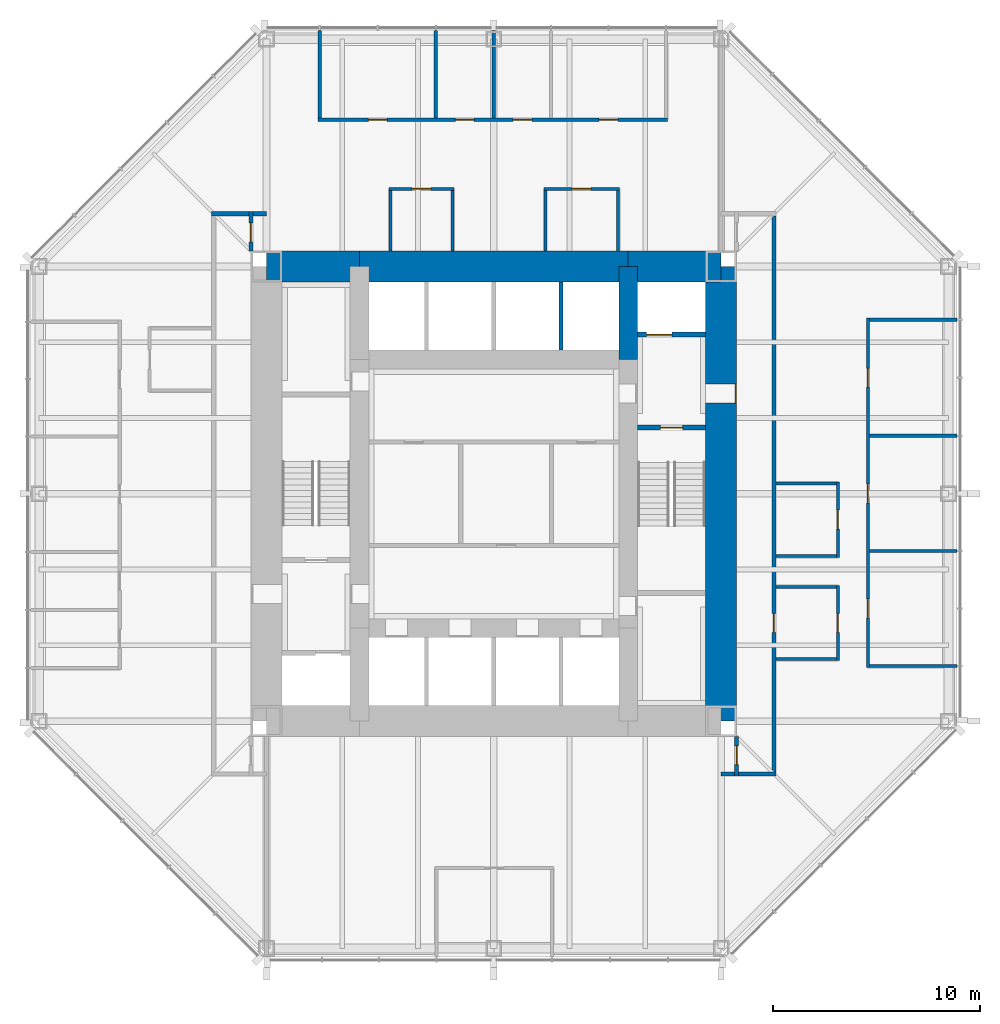
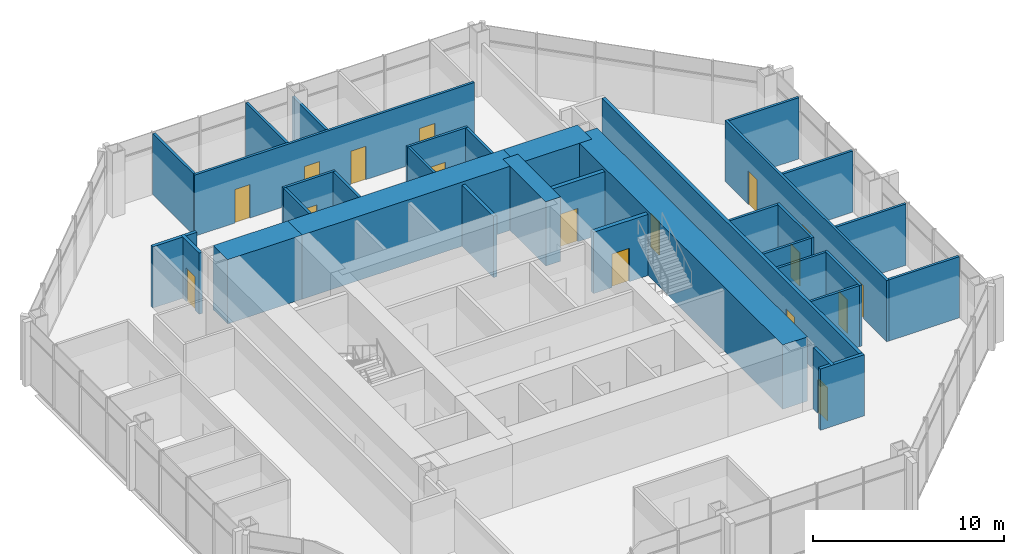
# One storey, part 10 of 12: 34 walls, 17 doors, 17 openings.
"""IFC4 building model written with IfcOpenShell, lengths in metres."""

from ifc_helpers import new_model, si_unit, direction, frame, frame_2d, origin, place, context, subcontext, project, spatial, rectangle, extrude, material, layer, layer_set, type_object, element, fill, save


model = new_model("IFC4")

# Units and contexts
model_context = context("Model", 3, precision=1e-05, world=origin(), true_north=direction((0.0, 1.0)))
body_context = subcontext(model_context, "Body", "Model", "MODEL_VIEW")
ifc_project = project(units=[si_unit("LENGTHUNIT", "METRE"), si_unit("AREAUNIT", "SQUARE_METRE"), si_unit("VOLUMEUNIT", "CUBIC_METRE"), si_unit("PLANEANGLEUNIT", "RADIAN"), si_unit("MASSUNIT", "GRAM", prefix="KILO")], contexts=[model_context])

# Site, building, storey
site_placement = place(None, origin())
site = spatial("IfcSite", under=ifc_project, at=site_placement, CompositionType="ELEMENT")
building_placement = place(site_placement, origin())
building = spatial("IfcBuilding", under=site, at=building_placement, Name="Trevanion Tower", CompositionType="ELEMENT")
storey_placement = place(building_placement, frame((0.0, 0.0, 125.39990234375)))
storey = spatial("IfcBuildingStorey", under=building, at=storey_placement, Name="L29", CompositionType="ELEMENT", Elevation=125.39990234375)

# Wall, opening, door
ifc_material_1 = material(Name="Concrete 10,000 psi", Category="concrete")
ifc_layer_1 = layer(ifc_material_1, 1.5)
ifc_layer_set_1 = layer_set([ifc_layer_1], Name="CW1 core wall 1500")
wall_type_1 = type_object("IfcWallType", Name="CW1 core wall 1500", PredefinedType="SHEAR", material=ifc_layer_set_1)
wall_1_placement = place(storey_placement, frame((11.0, -11.0, 0.0), z_axis=(0.0, 0.0, 1.0), x_axis=(0.0, 1.0, 0.0)))
wall_1 = element("IfcWall", 1, at=wall_1_placement, inside=storey, type_object=wall_type_1, Name="CW1 CE L29", PredefinedType="SHEAR", context=body_context, shape_type="SweptSolid", body=[
    extrude(rectangle(XDim=22.0, YDim=1.5, at=frame_2d((11.0, 0.0))), origin(), (0.0, 0.0, 1.0), 4.10009765625),
])
opening_1_placement = place(wall_1_placement, frame((15.392578125, 0.0, 0.0)))
opening_1 = element("IfcOpeningElement", 2, at=opening_1_placement, cuts=wall_1, Name="Opening 29-001", PredefinedType="OPENING", context=body_context, shape_type="SweptSolid", body=[
    extrude(rectangle(XDim=0.9150390625, YDim=2.134033203125, at=frame_2d((0.45751953125, 1.06689453125))), frame((0.0, 0.760009765625, 0.0), z_axis=(0.0, -1.0, 0.0), x_axis=(1.0, 0.0, 0.0)), (0.0, 0.0, 1.0), 1.52001953125),
])
ifc_material_2 = material(Name="Hollow metal, fire rated", Category="steel")
door_type_1 = type_object("IfcDoorType", Name="D3 fire lift lobby door", OperationType="SINGLE_SWING_RIGHT", PredefinedType="DOOR", material=ifc_material_2)
door_1_placement = place(opening_1_placement, origin())
door_1 = element("IfcDoor", 3, at=door_1_placement, inside=storey, type_object=door_type_1, Name="Door 29-001", OperationType="SINGLE_SWING_RIGHT", OverallHeight=2.134033203125, OverallWidth=0.9150390625, PredefinedType="DOOR", context=body_context, shape_type="SweptSolid", body=[
    extrude(rectangle(XDim=0.9150390625, YDim=2.134033203125, at=frame_2d((0.45751953125, 1.06689453125))), frame((0.0, -0.6748046875, 0.0), z_axis=(0.0, -1.0, 0.0), x_axis=(1.0, 0.0, 0.0)), (0.0, 0.0, 1.0), 0.050048828125),
])
fill(opening_1, door_1)

# Walls
wall_2_placement = place(storey_placement, frame((11.0, 11.0, 0.0), z_axis=(0.0, 0.0, 1.0), x_axis=(-1.0, 0.0, 0.0)))
element("IfcWall", 4, at=wall_2_placement, inside=storey, type_object=wall_type_1, Name="CW1 CN1 L29", PredefinedType="SHEAR", context=body_context, shape_type="SweptSolid", body=[
    extrude(rectangle(XDim=4.5, YDim=1.5, at=frame_2d((2.25, 0.0))), origin(), (0.0, 0.0, 1.0), 4.10009765625),
])
wall_3_placement = place(storey_placement, frame((6.5, 11.0, 0.0), z_axis=(0.0, 0.0, 1.0), x_axis=(-1.0, 0.0, 0.0)))
element("IfcWall", 5, at=wall_3_placement, inside=storey, type_object=wall_type_1, Name="CW1 CN2 L29", PredefinedType="SHEAR", context=body_context, shape_type="SweptSolid", body=[
    extrude(rectangle(XDim=13.0, YDim=1.5, at=frame_2d((6.5, 0.0))), origin(), (0.0, 0.0, 1.0), 4.10009765625),
])
wall_4_placement = place(storey_placement, frame((-6.5, 11.0, 0.0), z_axis=(0.0, 0.0, 1.0), x_axis=(-1.0, 0.0, 0.0)))
element("IfcWall", 6, at=wall_4_placement, inside=storey, type_object=wall_type_1, Name="CW1 CN3 L29", PredefinedType="SHEAR", context=body_context, shape_type="SweptSolid", body=[
    extrude(rectangle(XDim=4.5, YDim=1.5, at=frame_2d((2.25, 0.0))), origin(), (0.0, 0.0, 1.0), 4.10009765625),
])
ifc_material_3 = material(Name="Concrete 10,000 psi", Category="concrete")
ifc_layer_2 = layer(ifc_material_3, 0.89990234375)
ifc_layer_set_2 = layer_set([ifc_layer_2], Name="CW2 core wall 900")
wall_type_2 = type_object("IfcWallType", Name="CW2 core wall 900", PredefinedType="SHEAR", material=ifc_layer_set_2)
wall_5_placement = place(storey_placement, frame((6.5, 6.5, 0.0), z_axis=(0.0, 0.0, 1.0), x_axis=(0.0, 1.0, 0.0)))
element("IfcWall", 7, at=wall_5_placement, inside=storey, type_object=wall_type_2, Name="CW2 RE3 L29", PredefinedType="SHEAR", context=body_context, shape_type="SweptSolid", body=[
    extrude(rectangle(XDim=4.5, YDim=0.89990234375, at=frame_2d((2.25, 0.0))), origin(), (0.0, 0.0, 1.0), 4.10009765625),
])

# Wall, openings, doors
ifc_material_4 = material(Name="Gypsum board on steel studs", Category="steel")
ifc_layer_3 = layer(ifc_material_4, 0.14990234375)
ifc_layer_set_3 = layer_set([ifc_layer_3], Name="PT1 partition 150")
wall_type_3 = type_object("IfcWallType", Name="PT1 partition 150", PredefinedType="PARTITIONING", material=ifc_layer_set_3)
wall_6_placement = place(storey_placement, frame((18.10009765625, -8.39794921875, 0.0), z_axis=(0.0, 0.0, 1.0), x_axis=(0.0, 1.0, 0.0)))
wall_6 = element("IfcWall", 8, at=wall_6_placement, inside=storey, type_object=wall_type_3, Name="PT1 L29 FC0F", PredefinedType="PARTITIONING", context=body_context, shape_type="SweptSolid", body=[
    extrude(rectangle(XDim=16.89404296875, YDim=0.14990234375, at=frame_2d((8.447021484375, 0.0))), origin(), (0.0, 0.0, 1.0), 3.91015625),
])
opening_2_placement = place(wall_6_placement, frame((2.3916015625, 0.0, 0.0)))
opening_2 = element("IfcOpeningElement", 9, at=opening_2_placement, cuts=wall_6, Name="Opening 29-022", PredefinedType="OPENING", context=body_context, shape_type="SweptSolid", body=[
    extrude(rectangle(XDim=0.9150390625, YDim=2.134033203125, at=frame_2d((0.45751953125, 1.06689453125))), frame((0.0, 0.0849609375, 0.0), z_axis=(0.0, -1.0, 0.0), x_axis=(1.0, 0.0, 0.0)), (0.0, 0.0, 1.0), 0.169921875),
])
opening_3_placement = place(wall_6_placement, frame((7.95654296875, 0.0, 0.0)))
opening_3 = element("IfcOpeningElement", 10, at=opening_3_placement, cuts=wall_6, Name="Opening 29-023", PredefinedType="OPENING", context=body_context, shape_type="SweptSolid", body=[
    extrude(rectangle(XDim=0.9150390625, YDim=2.134033203125, at=frame_2d((0.45751953125, 1.06689453125))), frame((0.0, 0.0849609375, 0.0), z_axis=(0.0, -1.0, 0.0), x_axis=(1.0, 0.0, 0.0)), (0.0, 0.0, 1.0), 0.169921875),
])
opening_4_placement = place(wall_6_placement, frame((13.554443359375, 0.0, 0.0)))
opening_4 = element("IfcOpeningElement", 11, at=opening_4_placement, cuts=wall_6, Name="Opening 29-024", PredefinedType="OPENING", context=body_context, shape_type="SweptSolid", body=[
    extrude(rectangle(XDim=0.9150390625, YDim=2.134033203125, at=frame_2d((0.45751953125, 1.06689453125))), frame((0.0, 0.0849609375, 0.0), z_axis=(0.0, -1.0, 0.0), x_axis=(1.0, 0.0, 0.0)), (0.0, 0.0, 1.0), 0.169921875),
])
ifc_material_5 = material(Name="Timber veneer, solid core", Category="wood")
door_type_2 = type_object("IfcDoorType", Name="D1 office and meeting room door", OperationType="SINGLE_SWING_LEFT", PredefinedType="DOOR", material=ifc_material_5)
door_2_placement = place(opening_2_placement, origin())
door_2 = element("IfcDoor", 12, at=door_2_placement, inside=storey, type_object=door_type_2, Name="Door 29-022", OperationType="SINGLE_SWING_LEFT", OverallHeight=2.134033203125, OverallWidth=0.9150390625, PredefinedType="DOOR", context=body_context, shape_type="SweptSolid", body=[
    extrude(rectangle(XDim=0.9150390625, YDim=2.134033203125, at=frame_2d((0.45751953125, 1.06689453125))), frame((0.0, 0.02490234375, 0.0), z_axis=(0.0, -1.0, 0.0), x_axis=(1.0, 0.0, 0.0)), (0.0, 0.0, 1.0), 0.050048828125),
])
fill(opening_2, door_2)
door_3_placement = place(opening_3_placement, origin())
door_3 = element("IfcDoor", 13, at=door_3_placement, inside=storey, type_object=door_type_2, Name="Door 29-023", OperationType="SINGLE_SWING_LEFT", OverallHeight=2.134033203125, OverallWidth=0.9150390625, PredefinedType="DOOR", context=body_context, shape_type="SweptSolid", body=[
    extrude(rectangle(XDim=0.9150390625, YDim=2.134033203125, at=frame_2d((0.45751953125, 1.06689453125))), frame((0.0, 0.02490234375, 0.0), z_axis=(0.0, -1.0, 0.0), x_axis=(1.0, 0.0, 0.0)), (0.0, 0.0, 1.0), 0.050048828125),
])
fill(opening_3, door_3)
door_4_placement = place(opening_4_placement, origin())
door_4 = element("IfcDoor", 14, at=door_4_placement, inside=storey, type_object=door_type_2, Name="Door 29-024", OperationType="SINGLE_SWING_LEFT", OverallHeight=2.134033203125, OverallWidth=0.9150390625, PredefinedType="DOOR", context=body_context, shape_type="SweptSolid", body=[
    extrude(rectangle(XDim=0.9150390625, YDim=2.134033203125, at=frame_2d((0.45751953125, 1.06689453125))), frame((0.0, 0.02490234375, 0.0), z_axis=(0.0, -1.0, 0.0), x_axis=(1.0, 0.0, 0.0)), (0.0, 0.0, 1.0), 0.050048828125),
])
fill(opening_4, door_4)

# Walls
for number, where, z_axis, x_axis, name in (
    (15, (18.175048828125, -8.322998046875, 0.0), (0.0, 0.0, 1.0), (1.0, 0.0, 0.0), "PT1 L29 FC0S0"),
    (16, (18.175048828125, -2.77490234375, 0.0), (0.0, 0.0, 1.0), (1.0, 0.0, 0.0), "PT1 L29 FC0S2"),
    (17, (18.175048828125, 2.806884765625, 0.0), (0.0, 0.0, 1.0), (1.0, 0.0, 0.0), "PT1 L29 FC0S4"),
    (18, (18.175048828125, 8.4208984375, 0.0), (0.0, 0.0, 1.0), (1.0, 0.0, 0.0), "PT1 L29 FC0S6"),
):
    element("IfcWall", number, at=place(storey_placement, frame(where, z_axis=z_axis, x_axis=x_axis)), inside=storey, type_object=wall_type_3, Name=name, PredefinedType="PARTITIONING", context=body_context, shape_type="SweptSolid", body=[
        extrude(rectangle(XDim=4.239990234375, YDim=0.14990234375, at=frame_2d((2.1201171875, 0.0))), origin(), (0.0, 0.0, 1.0), 3.91015625),
    ])

# Wall, openings, doors
wall_7_placement = place(storey_placement, frame((8.39794921875, 18.10009765625, 0.0), z_axis=(0.0, 0.0, 1.0), x_axis=(-1.0, 0.0, 0.0)))
wall_7 = element("IfcWall", 19, at=wall_7_placement, inside=storey, type_object=wall_type_3, Name="PT1 L29 FC1F", PredefinedType="PARTITIONING", context=body_context, shape_type="SweptSolid", body=[
    extrude(rectangle(XDim=16.89404296875, YDim=0.14990234375, at=frame_2d((8.447021484375, 0.0))), origin(), (0.0, 0.0, 1.0), 3.91015625),
])
opening_5_placement = place(wall_7_placement, frame((2.3916015625, 0.0, 0.0)))
opening_5 = element("IfcOpeningElement", 20, at=opening_5_placement, cuts=wall_7, Name="Opening 29-025", PredefinedType="OPENING", context=body_context, shape_type="SweptSolid", body=[
    extrude(rectangle(XDim=0.9150390625, YDim=2.134033203125, at=frame_2d((0.45751953125, 1.06689453125))), frame((0.0, 0.0849609375, 0.0), z_axis=(0.0, -1.0, 0.0), x_axis=(1.0, 0.0, 0.0)), (0.0, 0.0, 1.0), 0.169921875),
])
opening_6_placement = place(wall_7_placement, frame((6.552978515625, 0.0, 0.0)))
opening_6 = element("IfcOpeningElement", 21, at=opening_6_placement, cuts=wall_7, Name="Opening 29-026", PredefinedType="OPENING", context=body_context, shape_type="SweptSolid", body=[
    extrude(rectangle(XDim=0.9150390625, YDim=2.134033203125, at=frame_2d((0.45751953125, 1.06689453125))), frame((0.0, 0.0849609375, 0.0), z_axis=(0.0, -1.0, 0.0), x_axis=(1.0, 0.0, 0.0)), (0.0, 0.0, 1.0), 0.169921875),
])
opening_7_placement = place(wall_7_placement, frame((9.343994140625, 0.0, 0.0)))
opening_7 = element("IfcOpeningElement", 22, at=opening_7_placement, cuts=wall_7, Name="Opening 29-027", PredefinedType="OPENING", context=body_context, shape_type="SweptSolid", body=[
    extrude(rectangle(XDim=0.9150390625, YDim=2.134033203125, at=frame_2d((0.45751953125, 1.06689453125))), frame((0.0, 0.0849609375, 0.0), z_axis=(0.0, -1.0, 0.0), x_axis=(1.0, 0.0, 0.0)), (0.0, 0.0, 1.0), 0.169921875),
])
opening_8_placement = place(wall_7_placement, frame((13.554443359375, 0.0, 0.0)))
opening_8 = element("IfcOpeningElement", 23, at=opening_8_placement, cuts=wall_7, Name="Opening 29-028", PredefinedType="OPENING", context=body_context, shape_type="SweptSolid", body=[
    extrude(rectangle(XDim=0.9150390625, YDim=2.134033203125, at=frame_2d((0.45751953125, 1.06689453125))), frame((0.0, 0.0849609375, 0.0), z_axis=(0.0, -1.0, 0.0), x_axis=(1.0, 0.0, 0.0)), (0.0, 0.0, 1.0), 0.169921875),
])
door_5_placement = place(opening_5_placement, origin())
door_5 = element("IfcDoor", 24, at=door_5_placement, inside=storey, type_object=door_type_2, Name="Door 29-025", OperationType="SINGLE_SWING_LEFT", OverallHeight=2.134033203125, OverallWidth=0.9150390625, PredefinedType="DOOR", context=body_context, shape_type="SweptSolid", body=[
    extrude(rectangle(XDim=0.9150390625, YDim=2.134033203125, at=frame_2d((0.45751953125, 1.06689453125))), frame((0.0, 0.02490234375, 0.0), z_axis=(0.0, -1.0, 0.0), x_axis=(1.0, 0.0, 0.0)), (0.0, 0.0, 1.0), 0.050048828125),
])
fill(opening_5, door_5)
door_6_placement = place(opening_6_placement, origin())
door_6 = element("IfcDoor", 25, at=door_6_placement, inside=storey, type_object=door_type_2, Name="Door 29-026", OperationType="SINGLE_SWING_LEFT", OverallHeight=2.134033203125, OverallWidth=0.9150390625, PredefinedType="DOOR", context=body_context, shape_type="SweptSolid", body=[
    extrude(rectangle(XDim=0.9150390625, YDim=2.134033203125, at=frame_2d((0.45751953125, 1.06689453125))), frame((0.0, 0.02490234375, 0.0), z_axis=(0.0, -1.0, 0.0), x_axis=(1.0, 0.0, 0.0)), (0.0, 0.0, 1.0), 0.050048828125),
])
fill(opening_6, door_6)
door_7_placement = place(opening_7_placement, origin())
door_7 = element("IfcDoor", 26, at=door_7_placement, inside=storey, type_object=door_type_2, Name="Door 29-027", OperationType="SINGLE_SWING_LEFT", OverallHeight=2.134033203125, OverallWidth=0.9150390625, PredefinedType="DOOR", context=body_context, shape_type="SweptSolid", body=[
    extrude(rectangle(XDim=0.9150390625, YDim=2.134033203125, at=frame_2d((0.45751953125, 1.06689453125))), frame((0.0, 0.02490234375, 0.0), z_axis=(0.0, -1.0, 0.0), x_axis=(1.0, 0.0, 0.0)), (0.0, 0.0, 1.0), 0.050048828125),
])
fill(opening_7, door_7)
door_8_placement = place(opening_8_placement, origin())
door_8 = element("IfcDoor", 27, at=door_8_placement, inside=storey, type_object=door_type_2, Name="Door 29-028", OperationType="SINGLE_SWING_LEFT", OverallHeight=2.134033203125, OverallWidth=0.9150390625, PredefinedType="DOOR", context=body_context, shape_type="SweptSolid", body=[
    extrude(rectangle(XDim=0.9150390625, YDim=2.134033203125, at=frame_2d((0.45751953125, 1.06689453125))), frame((0.0, 0.02490234375, 0.0), z_axis=(0.0, -1.0, 0.0), x_axis=(1.0, 0.0, 0.0)), (0.0, 0.0, 1.0), 0.050048828125),
])
fill(opening_8, door_8)

# Walls
wall_8_placement = place(storey_placement, frame((0.0, 18.175048828125, 0.0), z_axis=(0.0, 0.0, 1.0), x_axis=(0.0, 1.0, 0.0)))
element("IfcWall", 28, at=wall_8_placement, inside=storey, type_object=wall_type_3, Name="PT1 L29 FC1S3", PredefinedType="PARTITIONING", context=body_context, shape_type="SweptSolid", body=[
    extrude(rectangle(XDim=4.239990234375, YDim=0.14990234375, at=frame_2d((2.1201171875, 0.0))), origin(), (0.0, 0.0, 1.0), 3.325927734375),
])
for number, where, z_axis, x_axis, name in (
    (29, (-2.806884765625, 18.175048828125, 0.0), (0.0, 0.0, 1.0), (0.0, 1.0, 0.0), "PT1 L29 FC1S4"),
    (30, (-8.4208984375, 18.175048828125, 0.0), (0.0, 0.0, 1.0), (0.0, 1.0, 0.0), "PT1 L29 FC1S6"),
):
    element("IfcWall", number, at=place(storey_placement, frame(where, z_axis=z_axis, x_axis=x_axis)), inside=storey, type_object=wall_type_3, Name=name, PredefinedType="PARTITIONING", context=body_context, shape_type="SweptSolid", body=[
        extrude(rectangle(XDim=4.239990234375, YDim=0.14990234375, at=frame_2d((2.1201171875, 0.0))), origin(), (0.0, 0.0, 1.0), 3.91015625),
    ])

# Wall, opening, door
wall_9_placement = place(storey_placement, frame((16.64990234375, -8.074951171875, 0.0), z_axis=(0.0, 0.0, 1.0), x_axis=(0.0, 1.0, 0.0)))
wall_9 = element("IfcWall", 31, at=wall_9_placement, inside=storey, type_object=wall_type_3, Name="PT1 L29 IN00F", PredefinedType="PARTITIONING", context=body_context, shape_type="SweptSolid", body=[
    extrude(rectangle(XDim=3.64990234375, YDim=0.14990234375, at=frame_2d((1.824951171875, 0.0))), origin(), (0.0, 0.0, 1.0), 3.91015625),
])
opening_9_placement = place(wall_9_placement, frame((1.367431640625, 0.0, 0.0)))
opening_9 = element("IfcOpeningElement", 32, at=opening_9_placement, cuts=wall_9, Name="Opening 29-034", PredefinedType="OPENING", context=body_context, shape_type="SweptSolid", body=[
    extrude(rectangle(XDim=0.9150390625, YDim=2.134033203125, at=frame_2d((0.45751953125, 1.06689453125))), frame((0.0, 0.0849609375, 0.0), z_axis=(0.0, -1.0, 0.0), x_axis=(1.0, 0.0, 0.0)), (0.0, 0.0, 1.0), 0.169921875),
])
door_9_placement = place(opening_9_placement, origin())
door_9 = element("IfcDoor", 33, at=door_9_placement, inside=storey, type_object=door_type_2, Name="Door 29-034", OperationType="SINGLE_SWING_LEFT", OverallHeight=2.134033203125, OverallWidth=0.9150390625, PredefinedType="DOOR", context=body_context, shape_type="SweptSolid", body=[
    extrude(rectangle(XDim=0.9150390625, YDim=2.134033203125, at=frame_2d((0.45751953125, 1.06689453125))), frame((0.0, 0.02490234375, 0.0), z_axis=(0.0, -1.0, 0.0), x_axis=(1.0, 0.0, 0.0)), (0.0, 0.0, 1.0), 0.050048828125),
])
fill(opening_9, door_9)

# Walls
for number, where, z_axis, x_axis, name in (
    (34, (16.574951171875, -8.0, 0.0), (0.0, 0.0, 1.0), (-1.0, 0.0, 0.0), "PT1 L29 IN00S0"),
    (35, (16.574951171875, -4.5, 0.0), (0.0, 0.0, 1.0), (-1.0, 0.0, 0.0), "PT1 L29 IN00S1"),
):
    element("IfcWall", number, at=place(storey_placement, frame(where, z_axis=z_axis, x_axis=x_axis)), inside=storey, type_object=wall_type_3, Name=name, PredefinedType="PARTITIONING", context=body_context, shape_type="SweptSolid", body=[
        extrude(rectangle(XDim=2.925048828125, YDim=0.14990234375, at=frame_2d((1.46240234375, 0.0))), origin(), (0.0, 0.0, 1.0), 3.91015625),
    ])

# Wall, opening, door
wall_10_placement = place(storey_placement, frame((16.64990234375, -3.074951171875, 0.0), z_axis=(0.0, 0.0, 1.0), x_axis=(0.0, 1.0, 0.0)))
wall_10 = element("IfcWall", 36, at=wall_10_placement, inside=storey, type_object=wall_type_3, Name="PT1 L29 IN01F", PredefinedType="PARTITIONING", context=body_context, shape_type="SweptSolid", body=[
    extrude(rectangle(XDim=3.64990234375, YDim=0.14990234375, at=frame_2d((1.824951171875, 0.0))), origin(), (0.0, 0.0, 1.0), 3.91015625),
])
opening_10_placement = place(wall_10_placement, frame((1.367431640625, 0.0, 0.0)))
opening_10 = element("IfcOpeningElement", 37, at=opening_10_placement, cuts=wall_10, Name="Opening 29-036", PredefinedType="OPENING", context=body_context, shape_type="SweptSolid", body=[
    extrude(rectangle(XDim=0.9150390625, YDim=2.134033203125, at=frame_2d((0.45751953125, 1.06689453125))), frame((0.0, 0.0849609375, 0.0), z_axis=(0.0, -1.0, 0.0), x_axis=(1.0, 0.0, 0.0)), (0.0, 0.0, 1.0), 0.169921875),
])
door_10_placement = place(opening_10_placement, origin())
door_10 = element("IfcDoor", 38, at=door_10_placement, inside=storey, type_object=door_type_2, Name="Door 29-036", OperationType="SINGLE_SWING_LEFT", OverallHeight=2.134033203125, OverallWidth=0.9150390625, PredefinedType="DOOR", context=body_context, shape_type="SweptSolid", body=[
    extrude(rectangle(XDim=0.9150390625, YDim=2.134033203125, at=frame_2d((0.45751953125, 1.06689453125))), frame((0.0, 0.02490234375, 0.0), z_axis=(0.0, -1.0, 0.0), x_axis=(1.0, 0.0, 0.0)), (0.0, 0.0, 1.0), 0.050048828125),
])
fill(opening_10, door_10)

# Walls
for number, where, z_axis, x_axis, name in (
    (39, (16.574951171875, -3.0, 0.0), (0.0, 0.0, 1.0), (-1.0, 0.0, 0.0), "PT1 L29 IN01S0"),
    (40, (16.574951171875, 0.5, 0.0), (0.0, 0.0, 1.0), (-1.0, 0.0, 0.0), "PT1 L29 IN01S1"),
):
    element("IfcWall", number, at=place(storey_placement, frame(where, z_axis=z_axis, x_axis=x_axis)), inside=storey, type_object=wall_type_3, Name=name, PredefinedType="PARTITIONING", context=body_context, shape_type="SweptSolid", body=[
        extrude(rectangle(XDim=2.925048828125, YDim=0.14990234375, at=frame_2d((1.46240234375, 0.0))), origin(), (0.0, 0.0, 1.0), 3.91015625),
    ])

# Wall, opening, door
wall_11_placement = place(storey_placement, frame((6.074951171875, 14.75, 0.0), z_axis=(0.0, 0.0, 1.0), x_axis=(-1.0, 0.0, 0.0)))
wall_11 = element("IfcWall", 41, at=wall_11_placement, inside=storey, type_object=wall_type_3, Name="PT1 L29 IN10F", PredefinedType="PARTITIONING", context=body_context, shape_type="SweptSolid", body=[
    extrude(rectangle(XDim=3.64990234375, YDim=0.14990234375, at=frame_2d((1.824951171875, 0.0))), origin(), (0.0, 0.0, 1.0), 3.91015625),
])
opening_11_placement = place(wall_11_placement, frame((1.367431640625, 0.0, 0.0)))
opening_11 = element("IfcOpeningElement", 42, at=opening_11_placement, cuts=wall_11, Name="Opening 29-037", PredefinedType="OPENING", context=body_context, shape_type="SweptSolid", body=[
    extrude(rectangle(XDim=0.9150390625, YDim=2.134033203125, at=frame_2d((0.45751953125, 1.06689453125))), frame((0.0, 0.0849609375, 0.0), z_axis=(0.0, -1.0, 0.0), x_axis=(1.0, 0.0, 0.0)), (0.0, 0.0, 1.0), 0.169921875),
])
door_11_placement = place(opening_11_placement, origin())
door_11 = element("IfcDoor", 43, at=door_11_placement, inside=storey, type_object=door_type_2, Name="Door 29-037", OperationType="SINGLE_SWING_LEFT", OverallHeight=2.134033203125, OverallWidth=0.9150390625, PredefinedType="DOOR", context=body_context, shape_type="SweptSolid", body=[
    extrude(rectangle(XDim=0.9150390625, YDim=2.134033203125, at=frame_2d((0.45751953125, 1.06689453125))), frame((0.0, 0.02490234375, 0.0), z_axis=(0.0, -1.0, 0.0), x_axis=(1.0, 0.0, 0.0)), (0.0, 0.0, 1.0), 0.050048828125),
])
fill(opening_11, door_11)

# Walls
for number, where, z_axis, x_axis, name in (
    (44, (6.0, 14.675048828125, 0.0), (0.0, 0.0, 1.0), (0.0, -1.0, 0.0), "PT1 L29 IN10S0"),
    (45, (2.5, 14.675048828125, 0.0), (0.0, 0.0, 1.0), (0.0, -1.0, 0.0), "PT1 L29 IN10S1"),
):
    element("IfcWall", number, at=place(storey_placement, frame(where, z_axis=z_axis, x_axis=x_axis)), inside=storey, type_object=wall_type_3, Name=name, PredefinedType="PARTITIONING", context=body_context, shape_type="SweptSolid", body=[
        extrude(rectangle(XDim=2.925048828125, YDim=0.14990234375, at=frame_2d((1.46240234375, 0.0))), origin(), (0.0, 0.0, 1.0), 3.91015625),
    ])

# Wall, opening, door
wall_12_placement = place(storey_placement, frame((-1.925048828125, 14.75, 0.0), z_axis=(0.0, 0.0, 1.0), x_axis=(-1.0, 0.0, 0.0)))
wall_12 = element("IfcWall", 46, at=wall_12_placement, inside=storey, type_object=wall_type_3, Name="PT1 L29 IN11F", PredefinedType="PARTITIONING", context=body_context, shape_type="SweptSolid", body=[
    extrude(rectangle(XDim=3.14990234375, YDim=0.14990234375, at=frame_2d((1.574951171875, 0.0))), origin(), (0.0, 0.0, 1.0), 3.91015625),
])
opening_12_placement = place(wall_12_placement, frame((1.117431640625, 0.0, 0.0)))
opening_12 = element("IfcOpeningElement", 47, at=opening_12_placement, cuts=wall_12, Name="Opening 29-038", PredefinedType="OPENING", context=body_context, shape_type="SweptSolid", body=[
    extrude(rectangle(XDim=0.9150390625, YDim=2.134033203125, at=frame_2d((0.45751953125, 1.06689453125))), frame((0.0, 0.0849609375, 0.0), z_axis=(0.0, -1.0, 0.0), x_axis=(1.0, 0.0, 0.0)), (0.0, 0.0, 1.0), 0.169921875),
])
door_12_placement = place(opening_12_placement, origin())
door_12 = element("IfcDoor", 48, at=door_12_placement, inside=storey, type_object=door_type_2, Name="Door 29-038", OperationType="SINGLE_SWING_LEFT", OverallHeight=2.134033203125, OverallWidth=0.9150390625, PredefinedType="DOOR", context=body_context, shape_type="SweptSolid", body=[
    extrude(rectangle(XDim=0.9150390625, YDim=2.134033203125, at=frame_2d((0.45751953125, 1.06689453125))), frame((0.0, 0.02490234375, 0.0), z_axis=(0.0, -1.0, 0.0), x_axis=(1.0, 0.0, 0.0)), (0.0, 0.0, 1.0), 0.050048828125),
])
fill(opening_12, door_12)

# Walls
for number, where, z_axis, x_axis, name in (
    (49, (-2.0, 14.675048828125, 0.0), (0.0, 0.0, 1.0), (0.0, -1.0, 0.0), "PT1 L29 IN11S0"),
    (50, (-5.0, 14.675048828125, 0.0), (0.0, 0.0, 1.0), (0.0, -1.0, 0.0), "PT1 L29 IN11S1"),
):
    element("IfcWall", number, at=place(storey_placement, frame(where, z_axis=z_axis, x_axis=x_axis)), inside=storey, type_object=wall_type_3, Name=name, PredefinedType="PARTITIONING", context=body_context, shape_type="SweptSolid", body=[
        extrude(rectangle(XDim=2.925048828125, YDim=0.14990234375, at=frame_2d((1.46240234375, 0.0))), origin(), (0.0, 0.0, 1.0), 3.91015625),
    ])

# Wall, opening, door
ifc_material_6 = material(Name="Concrete masonry, grouted", Category="masonry")
ifc_layer_4 = layer(ifc_material_6, 0.199951171875)
ifc_layer_set_4 = layer_set([ifc_layer_4], Name="PT2 partition 200 1 HR")
wall_type_4 = type_object("IfcWallType", Name="PT2 partition 200 1 HR", PredefinedType="PARTITIONING", material=ifc_layer_set_4)
wall_13_placement = place(storey_placement, frame((13.550048828125, -13.64990234375, 0.0), z_axis=(0.0, 0.0, 1.0), x_axis=(0.0, 1.0, 0.0)))
wall_13 = element("IfcWall", 51, at=wall_13_placement, inside=storey, type_object=wall_type_4, Name="PT2 L29 OC0", PredefinedType="PARTITIONING", context=body_context, shape_type="SweptSolid", body=[
    extrude(rectangle(XDim=27.099853515625, YDim=0.199951171875, at=frame_2d((13.5498046875, 0.0))), origin(), (0.0, 0.0, 1.0), 3.91015625),
])
opening_13_placement = place(wall_13_placement, frame((6.9423828125, 0.0, 0.0)))
opening_13 = element("IfcOpeningElement", 52, at=opening_13_placement, cuts=wall_13, Name="Opening 29-035", PredefinedType="OPENING", context=body_context, shape_type="SweptSolid", body=[
    extrude(rectangle(XDim=0.9150390625, YDim=2.134033203125, at=frame_2d((0.45751953125, 1.06689453125))), frame((0.0, 0.10986328125, 0.0), z_axis=(0.0, -1.0, 0.0), x_axis=(1.0, 0.0, 0.0)), (0.0, 0.0, 1.0), 0.219970703125),
])
ifc_material_7 = material(Name="Timber veneer, fire rated", Category="wood")
door_type_3 = type_object("IfcDoorType", Name="D10 office door in a one hour wall", OperationType="SINGLE_SWING_LEFT", PredefinedType="DOOR", material=ifc_material_7)
door_13_placement = place(opening_13_placement, origin())
door_13 = element("IfcDoor", 53, at=door_13_placement, inside=storey, type_object=door_type_3, Name="Door 29-035", OperationType="SINGLE_SWING_LEFT", OverallHeight=2.134033203125, OverallWidth=0.9150390625, PredefinedType="DOOR", context=body_context, shape_type="SweptSolid", body=[
    extrude(rectangle(XDim=0.9150390625, YDim=2.134033203125, at=frame_2d((0.45751953125, 1.06689453125))), frame((0.0, 0.02490234375, 0.0), z_axis=(0.0, -1.0, 0.0), x_axis=(1.0, 0.0, 0.0)), (0.0, 0.0, 1.0), 0.050048828125),
])
fill(opening_13, door_13)

wall_14_placement = place(storey_placement, frame((-11.75, 11.75, 0.0), z_axis=(0.0, 0.0, 1.0), x_axis=(0.0, 1.0, 0.0)))
wall_14 = element("IfcWall", 54, at=wall_14_placement, inside=storey, type_object=wall_type_4, Name="PT2 L29 OUNW1", PredefinedType="PARTITIONING", context=body_context, shape_type="SweptSolid", body=[
    extrude(rectangle(XDim=1.89990234375, YDim=0.199951171875, at=frame_2d((0.949951171875, 0.0))), origin(), (0.0, 0.0, 1.0), 3.91015625),
])
opening_14_placement = place(wall_14_placement, frame((0.4423828125, 0.0, 0.0)))
opening_14 = element("IfcOpeningElement", 55, at=opening_14_placement, cuts=wall_14, Name="Opening 29-019", PredefinedType="OPENING", context=body_context, shape_type="SweptSolid", body=[
    extrude(rectangle(XDim=0.9150390625, YDim=2.134033203125, at=frame_2d((0.45751953125, 1.06689453125))), frame((0.0, 0.10986328125, 0.0), z_axis=(0.0, -1.0, 0.0), x_axis=(1.0, 0.0, 0.0)), (0.0, 0.0, 1.0), 0.219970703125),
])
door_14_placement = place(opening_14_placement, origin())
door_14 = element("IfcDoor", 56, at=door_14_placement, inside=storey, type_object=door_type_3, Name="Door 29-019", OperationType="SINGLE_SWING_LEFT", OverallHeight=2.134033203125, OverallWidth=0.9150390625, PredefinedType="DOOR", context=body_context, shape_type="SweptSolid", body=[
    extrude(rectangle(XDim=0.9150390625, YDim=2.134033203125, at=frame_2d((0.45751953125, 1.06689453125))), frame((0.0, 0.02490234375, 0.0), z_axis=(0.0, -1.0, 0.0), x_axis=(1.0, 0.0, 0.0)), (0.0, 0.0, 1.0), 0.050048828125),
])
fill(opening_14, door_14)

# Wall
wall_15_placement = place(storey_placement, frame((-11.0, 13.550048828125, 0.0), z_axis=(0.0, 0.0, 1.0), x_axis=(-1.0, 0.0, 0.0)))
element("IfcWall", 57, at=wall_15_placement, inside=storey, type_object=wall_type_4, Name="PT2 L29 OUNW2", PredefinedType="PARTITIONING", context=body_context, shape_type="SweptSolid", body=[
    extrude(rectangle(XDim=2.64990234375, YDim=0.199951171875, at=frame_2d((1.324951171875, 0.0))), origin(), (0.0, 0.0, 1.0), 3.91015625),
])

# Wall, opening, door
wall_16_placement = place(storey_placement, frame((11.75, -11.75, 0.0), z_axis=(0.0, 0.0, 1.0), x_axis=(0.0, -1.0, 0.0)))
wall_16 = element("IfcWall", 58, at=wall_16_placement, inside=storey, type_object=wall_type_4, Name="PT2 L29 OUSE1", PredefinedType="PARTITIONING", context=body_context, shape_type="SweptSolid", body=[
    extrude(rectangle(XDim=1.89990234375, YDim=0.199951171875, at=frame_2d((0.949951171875, 0.0))), origin(), (0.0, 0.0, 1.0), 3.91015625),
])
opening_15_placement = place(wall_16_placement, frame((0.4423828125, 0.0, 0.0)))
opening_15 = element("IfcOpeningElement", 59, at=opening_15_placement, cuts=wall_16, Name="Opening 29-020", PredefinedType="OPENING", context=body_context, shape_type="SweptSolid", body=[
    extrude(rectangle(XDim=0.9150390625, YDim=2.134033203125, at=frame_2d((0.45751953125, 1.06689453125))), frame((0.0, 0.10986328125, 0.0), z_axis=(0.0, -1.0, 0.0), x_axis=(1.0, 0.0, 0.0)), (0.0, 0.0, 1.0), 0.219970703125),
])
door_15_placement = place(opening_15_placement, origin())
door_15 = element("IfcDoor", 60, at=door_15_placement, inside=storey, type_object=door_type_3, Name="Door 29-020", OperationType="SINGLE_SWING_LEFT", OverallHeight=2.134033203125, OverallWidth=0.9150390625, PredefinedType="DOOR", context=body_context, shape_type="SweptSolid", body=[
    extrude(rectangle(XDim=0.9150390625, YDim=2.134033203125, at=frame_2d((0.45751953125, 1.06689453125))), frame((0.0, 0.02490234375, 0.0), z_axis=(0.0, -1.0, 0.0), x_axis=(1.0, 0.0, 0.0)), (0.0, 0.0, 1.0), 0.050048828125),
])
fill(opening_15, door_15)

# Walls
wall_17_placement = place(storey_placement, frame((11.0, -13.550048828125, 0.0), z_axis=(0.0, 0.0, 1.0), x_axis=(1.0, 0.0, 0.0)))
element("IfcWall", 61, at=wall_17_placement, inside=storey, type_object=wall_type_4, Name="PT2 L29 OUSE2", PredefinedType="PARTITIONING", context=body_context, shape_type="SweptSolid", body=[
    extrude(rectangle(XDim=2.64990234375, YDim=0.199951171875, at=frame_2d((1.324951171875, 0.0))), origin(), (0.0, 0.0, 1.0), 3.91015625),
])
ifc_material_8 = material(Name="Concrete masonry, grouted", Category="masonry")
ifc_layer_5 = layer(ifc_material_8, 0.199951171875)
ifc_layer_set_5 = layer_set([ifc_layer_5], Name="PT2 partition 200 2 HR")
wall_type_5 = type_object("IfcWallType", Name="PT2 partition 200 2 HR", PredefinedType="PARTITIONING", material=ifc_layer_set_5)
wall_18_placement = place(storey_placement, frame((3.25, 6.949951171875, 0.0), z_axis=(0.0, 0.0, 1.0), x_axis=(0.0, 1.0, 0.0)))
element("IfcWall", 62, at=wall_18_placement, inside=storey, type_object=wall_type_5, Name="PT2 L29 NS2", PredefinedType="PARTITIONING", context=body_context, shape_type="SweptSolid", body=[
    extrude(rectangle(XDim=3.300048828125, YDim=0.199951171875, at=frame_2d((1.64990234375, 0.0))), origin(), (0.0, 0.0, 1.0), 3.91015625),
])

# Wall, opening, door
ifc_material_9 = material(Name="Concrete masonry, grouted, two-hour", Category="masonry")
ifc_layer_6 = layer(ifc_material_9, 0.25)
ifc_layer_set_6 = layer_set([ifc_layer_6], Name="PT3 partition 250 2 HR")
wall_type_6 = type_object("IfcWallType", Name="PT3 partition 250 2 HR", PredefinedType="PARTITIONING", material=ifc_layer_set_6)
wall_19_placement = place(storey_placement, frame((6.949951171875, 7.699951171875, 0.0), z_axis=(0.0, 0.0, 1.0), x_axis=(1.0, 0.0, 0.0)))
wall_19 = element("IfcWall", 63, at=wall_19_placement, inside=storey, type_object=wall_type_6, Name="PT3 L29 EP3", PredefinedType="PARTITIONING", context=body_context, shape_type="SweptSolid", body=[
    extrude(rectangle(XDim=3.300048828125, YDim=0.25, at=frame_2d((1.64990234375, 0.0))), origin(), (0.0, 0.0, 1.0), 3.91015625),
])
opening_16_placement = place(wall_19_placement, frame((0.449951171875, 0.0, 0.0)))
opening_16 = element("IfcOpeningElement", 64, at=opening_16_placement, cuts=wall_19, Name="Opening 29-007", PredefinedType="OPENING", context=body_context, shape_type="SweptSolid", body=[
    extrude(rectangle(XDim=1.218994140625, YDim=2.134033203125, at=frame_2d((0.609375, 1.06689453125))), frame((0.0, 0.135009765625, 0.0), z_axis=(0.0, -1.0, 0.0), x_axis=(1.0, 0.0, 0.0)), (0.0, 0.0, 1.0), 0.27001953125),
])
ifc_material_10 = material(Name="Stainless steel, fire rated", Category="steel")
door_type_4 = type_object("IfcDoorType", Name="LD2 fire service lift landing door", OperationType="SLIDING_TO_LEFT", PredefinedType="DOOR", material=ifc_material_10)
door_16_placement = place(opening_16_placement, origin())
door_16 = element("IfcDoor", 65, at=door_16_placement, inside=storey, type_object=door_type_4, Name="Door 29-007", OperationType="SLIDING_TO_LEFT", OverallHeight=2.134033203125, OverallWidth=1.218994140625, PredefinedType="DOOR", context=body_context, shape_type="SweptSolid", body=[
    extrude(rectangle(XDim=1.218994140625, YDim=2.134033203125, at=frame_2d((0.609375, 1.06689453125))), frame((0.0, 0.02490234375, 0.0), z_axis=(0.0, -1.0, 0.0), x_axis=(1.0, 0.0, 0.0)), (0.0, 0.0, 1.0), 0.050048828125),
])
fill(opening_16, door_16)

ifc_material_11 = material(Name="Reinforced masonry, fully grouted", Category="masonry")
ifc_layer_7 = layer(ifc_material_11, 0.25)
ifc_layer_set_7 = layer_set([ifc_layer_7], Name="SW1 stair shaft wall 250")
wall_type_7 = type_object("IfcWallType", Name="SW1 stair shaft wall 250", PredefinedType="SOLIDWALL", material=ifc_layer_set_7)
wall_20_placement = place(storey_placement, frame((6.949951171875, 3.199951171875, 0.0), z_axis=(0.0, 0.0, 1.0), x_axis=(1.0, 0.0, 0.0)))
wall_20 = element("IfcWall", 66, at=wall_20_placement, inside=storey, type_object=wall_type_7, Name="SW1 L29 EP2", PredefinedType="SOLIDWALL", context=body_context, shape_type="SweptSolid", body=[
    extrude(rectangle(XDim=3.300048828125, YDim=0.25, at=frame_2d((1.64990234375, 0.0))), origin(), (0.0, 0.0, 1.0), 3.91015625),
])
opening_17_placement = place(wall_20_placement, frame((1.116455078125, 0.0, 0.0)))
opening_17 = element("IfcOpeningElement", 67, at=opening_17_placement, cuts=wall_20, Name="Opening 29-005", PredefinedType="OPENING", context=body_context, shape_type="SweptSolid", body=[
    extrude(rectangle(XDim=1.06689453125, YDim=2.134033203125, at=frame_2d((0.533447265625, 1.06689453125))), frame((0.0, 0.135009765625, 0.0), z_axis=(0.0, -1.0, 0.0), x_axis=(1.0, 0.0, 0.0)), (0.0, 0.0, 1.0), 0.27001953125),
])
ifc_material_12 = material(Name="Hollow metal, fire rated", Category="steel")
door_type_5 = type_object("IfcDoorType", Name="D2 exit stair door", OperationType="SINGLE_SWING_LEFT", PredefinedType="DOOR", material=ifc_material_12)
door_17_placement = place(opening_17_placement, origin())
door_17 = element("IfcDoor", 68, at=door_17_placement, inside=storey, type_object=door_type_5, Name="Door 29-005", OperationType="SINGLE_SWING_LEFT", OverallHeight=2.134033203125, OverallWidth=1.06689453125, PredefinedType="DOOR", context=body_context, shape_type="SweptSolid", body=[
    extrude(rectangle(XDim=1.06689453125, YDim=2.134033203125, at=frame_2d((0.533447265625, 1.06689453125))), frame((0.0, 0.02490234375, 0.0), z_axis=(0.0, -1.0, 0.0), x_axis=(1.0, 0.0, 0.0)), (0.0, 0.0, 1.0), 0.050048828125),
])
fill(opening_17, door_17)

save(model, "model.ifc")
